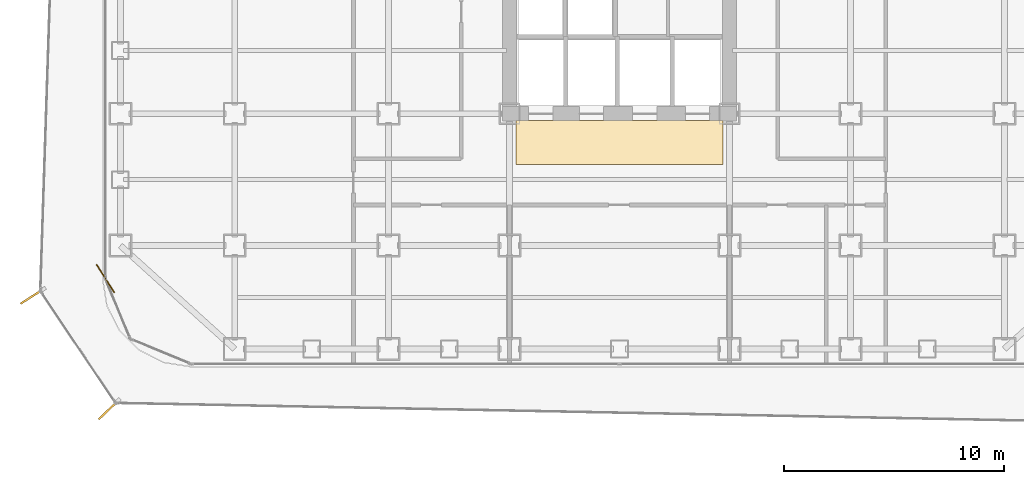
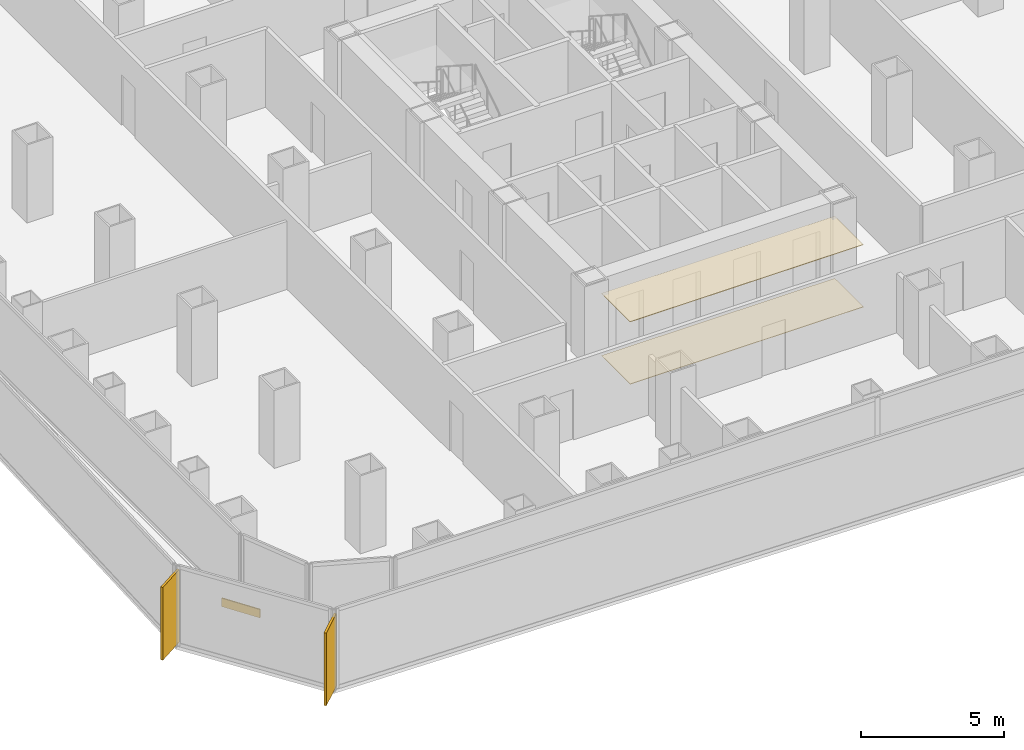
# One storey, part 19 of 21: 3 coverings, 2 shading devices.
"""IFC4 building model written with IfcOpenShell, lengths in metres."""

from ifc_helpers import new_model, si_unit, direction, frame, origin, origin_2d, place, context, subcontext, project, spatial, polyline, rectangle, outline, extrude, source, transform, mapped, material, layer, layer_set, type_object, element, save


model = new_model("IFC4")

# Units and contexts
model_context = context("Model", 3, precision=1e-05, world=origin(), true_north=direction((0.0, 1.0)))
body_context = subcontext(model_context, "Body", "Model", "MODEL_VIEW")
ifc_project = project(units=[si_unit("LENGTHUNIT", "METRE"), si_unit("AREAUNIT", "SQUARE_METRE"), si_unit("VOLUMEUNIT", "CUBIC_METRE"), si_unit("PLANEANGLEUNIT", "RADIAN"), si_unit("MASSUNIT", "GRAM", prefix="KILO")], contexts=[model_context])

# Site, building, storey
site_placement = place(None, origin())
site = spatial("IfcSite", under=ifc_project, at=site_placement, CompositionType="ELEMENT")
building_placement = place(site_placement, origin())
building = spatial("IfcBuilding", under=site, at=building_placement, Name="Kolveth Station Tower", CompositionType="ELEMENT")
storey_placement = place(building_placement, frame((0.0, 0.0, 33.300048828125)))
storey = spatial("IfcBuildingStorey", under=building, at=storey_placement, Name="L08", CompositionType="ELEMENT", Elevation=33.300048828125)

# Coverings
ifc_material_1 = material(Name="Acoustic mineral-fibre ceiling tile")
ifc_layer_1 = layer(ifc_material_1, 0.02490234375)
ifc_layer_set_1 = layer_set([ifc_layer_1], Name="Acoustic mineral-fibre ceiling tile")
covering_type_1 = type_object("IfcCoveringType", Name="Ceil_CL1", PredefinedType="CEILING", material=ifc_layer_set_1)
covering_1_placement = place(storey_placement, frame((0.0, 0.0, 2.64990234375)))
element("IfcCovering", 1, at=covering_1_placement, inside=storey, type_object=covering_type_1, Name="L08 Lift Lobby Suspended Ceiling", PredefinedType="CEILING", context=body_context, shape_type="SweptSolid", body=[
    extrude(outline(polyline([(18.800048828125, 9.199951171875), (28.199951171875, 9.199951171875), (28.199951171875, 11.199951171875), (18.800048828125, 11.199951171875), (18.800048828125, 9.199951171875)])), origin(), (0.0, 0.0, 1.0), 0.025146484375),
])
ifc_material_2 = material(Name="Honed terrazzo flooring")
ifc_layer_2 = layer(ifc_material_2, 0.02001953125)
ifc_layer_set_2 = layer_set([ifc_layer_2], Name="Honed terrazzo flooring")
covering_type_2 = type_object("IfcCoveringType", Name="Floor_FL1", PredefinedType="FLOORING", material=ifc_layer_set_2)
covering_2_placement = place(storey_placement, origin())
element("IfcCovering", 2, at=covering_2_placement, inside=storey, type_object=covering_type_2, Name="L08 Lift Lobby Floor Finish", PredefinedType="FLOORING", context=body_context, shape_type="SweptSolid", body=[
    extrude(outline(polyline([(18.800048828125, 9.199951171875), (28.199951171875, 9.199951171875), (28.199951171875, 11.199951171875), (18.800048828125, 11.199951171875), (18.800048828125, 9.199951171875)])), origin(), (0.0, 0.0, 1.0), 0.02001953125),
])

# Shading devices
ifc_material_3 = material(Name="Black anodized aluminium 6063-T6", Category="aluminium")
shading_device_type = type_object("IfcShadingDeviceType", Name="FIN_VF1", PredefinedType="USERDEFINED", material=ifc_material_3)
shared_shape_1 = source(origin(), body_context, "Body", "SweptSolid", [
    extrude(rectangle(XDim=1.25, YDim=0.090087890625, at=origin_2d()), origin(), (0.0, 0.0, 1.0), 3.10009765625),
])
for number, where, z_axis, x_axis, name in (
    (3, (-3.212890625, 3.193115234375, 0.0), (0.0, 0.0, 1.0), (-0.842828324641, -0.538182511035, 0.0), "L08 Dark-Aluminium Solar Fin 7"),
    (4, (0.260986328125, -1.970947265625, 0.0), (0.0, 0.0, 1.0), (-0.722725938412, -0.691134732122, 0.0), "L08 Dark-Aluminium Solar Fin 8"),
):
    element("IfcShadingDevice", number, at=place(storey_placement, frame(where, z_axis=z_axis, x_axis=x_axis)), inside=storey, type_object=shading_device_type, Name=name, ObjectType="FIN", PredefinedType="USERDEFINED", context=body_context, shape_type="MappedRepresentation", body=[
        mapped(shared_shape_1, transform((0.0, 0.0, 0.0), x_axis=(1.0, 0.0, 0.0), y_axis=(0.0, 1.0, 0.0), z_axis=(0.0, 0.0, 1.0), scale=1.0)),
    ])

# Covering
ifc_material_4 = material(Name="Charcoal anodized aluminium spandrel cladding", Category="aluminium")
ifc_layer_3 = layer(ifc_material_4, 0.044921875)
ifc_layer_set_3 = layer_set([ifc_layer_3], Name="Charcoal anodized aluminium spandrel cladding")
covering_type_3 = type_object("IfcCoveringType", Name="Clad_CD1", PredefinedType="CLADDING", material=ifc_layer_set_3)
shared_shape_2 = source(origin(), body_context, "Body", "SweptSolid", [
    extrude(rectangle(XDim=1.5, YDim=0.044921875, at=origin_2d()), origin(), (0.0, 0.0, 1.0), 0.360107421875),
])
covering_3_placement = place(storey_placement, frame((0.1201171875, 4.0, 0.0), z_axis=(0.0, 0.0, 1.0), x_axis=(0.538182511035, -0.842828324641, 0.0)))
element("IfcCovering", 5, at=covering_3_placement, inside=storey, type_object=covering_type_3, Name="L08 Spandrel Edge Cladding 7", PredefinedType="CLADDING", context=body_context, shape_type="MappedRepresentation", body=[
    mapped(shared_shape_2, transform((0.0, 0.0, 0.0), x_axis=(1.0, 0.0, 0.0), y_axis=(0.0, 1.0, 0.0), z_axis=(0.0, 0.0, 1.0), scale=1.0)),
])

save(model, "model.ifc")
